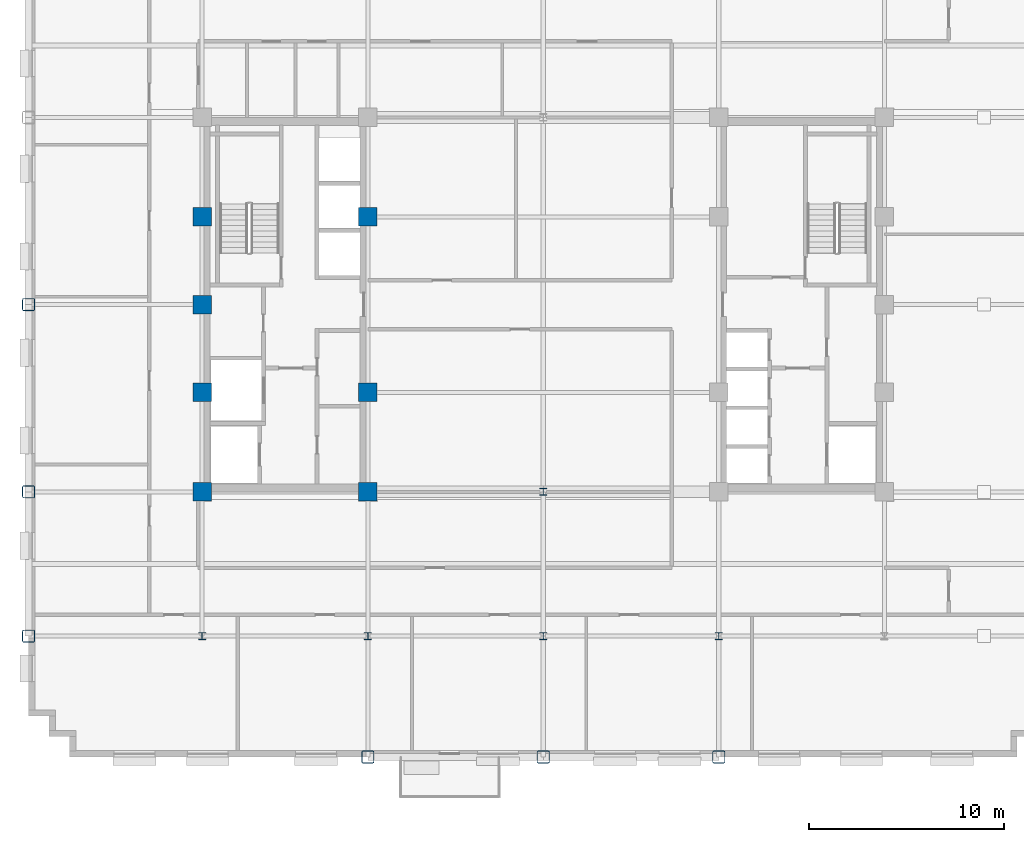
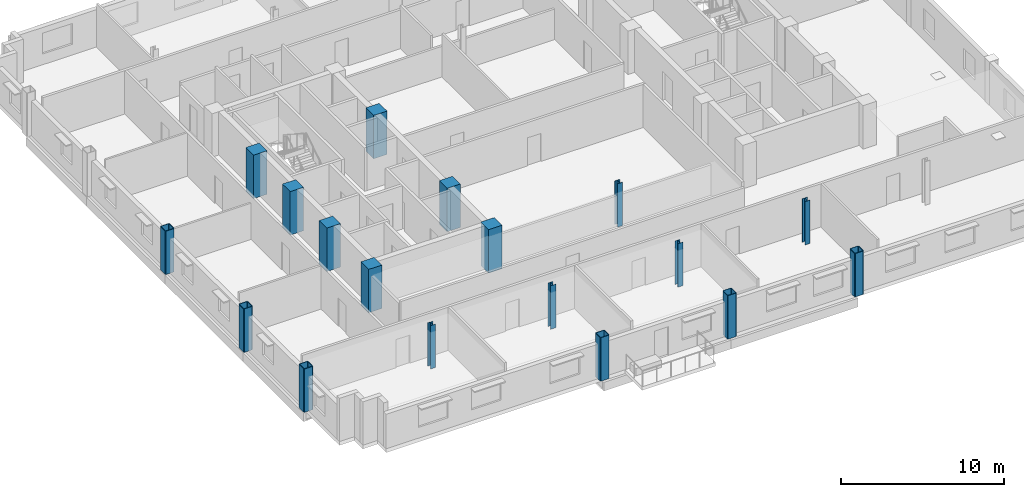
# One storey, part 1 of 14: 18 columns.
"""IFC4 building model written with IfcOpenShell, lengths in metres."""

from ifc_helpers import new_model, si_unit, direction, frame, origin, origin_2d, place, context, subcontext, project, spatial, rectangle, hollow_rectangle, i_section, extrude, material, material_profile, profile_set, type_object, element, save


model = new_model("IFC4")

# Units and contexts
model_context = context("Model", 3, precision=1e-05, world=origin(), true_north=direction((0.0, 1.0)))
body_context = subcontext(model_context, "Body", "Model", "MODEL_VIEW")
ifc_project = project(units=[si_unit("LENGTHUNIT", "METRE"), si_unit("AREAUNIT", "SQUARE_METRE"), si_unit("VOLUMEUNIT", "CUBIC_METRE"), si_unit("PLANEANGLEUNIT", "RADIAN"), si_unit("MASSUNIT", "GRAM", prefix="KILO")], contexts=[model_context])

# Site, building, storey
site_placement = place(None, origin())
site = spatial("IfcSite", under=ifc_project, at=site_placement, CompositionType="ELEMENT")
building_placement = place(site_placement, origin())
building = spatial("IfcBuilding", under=site, at=building_placement, Name="Nuvemarco Arch Tower", CompositionType="ELEMENT")
storey_placement = place(building_placement, frame((0.0, 0.0, 164.0)))
storey = spatial("IfcBuildingStorey", under=building, at=storey_placement, Name="L43", CompositionType="ELEMENT", Elevation=164.0)

# Columns
ifc_material_1 = material(Name="Concrete C50/60", Category="concrete")
ifc_material_profile_1 = material_profile(ifc_material_1, rectangle(XDim=0.949951171875, YDim=0.949951171875, at=origin_2d()), Name="RC-COL-950x950")
ifc_profile_set_1 = profile_set([ifc_material_profile_1], Name="Concrete C50/60")
column_type_1 = type_object("IfcColumnType", Name="COL-CORE-950", PredefinedType="COLUMN", material=ifc_profile_set_1)
for number, where, z_axis, x_axis, name in (
    (1, (-17.5, -9.60009765625, 0.0), (0.0, 0.0, 1.0), (1.0, 0.0, 0.0), "L43 column CC_-17.5_-9.6"),
    (2, (-17.5, -4.5, 0.0), (0.0, 0.0, 1.0), (1.0, 0.0, 0.0), "L43 column CC_-17.5_-4.5"),
    (3, (-17.5, 4.5, 0.0), (0.0, 0.0, 1.0), (1.0, 0.0, 0.0), "L43 column CC_-17.5_+4.5"),
    (4, (-9.0, -9.60009765625, 0.0), (0.0, 0.0, 1.0), (1.0, 0.0, 0.0), "L43 column CC_-9.0_-9.6"),
    (5, (-9.0, -4.5, 0.0), (0.0, 0.0, 1.0), (1.0, 0.0, 0.0), "L43 column CC_-9.0_-4.5"),
    (6, (-9.0, 4.5, 0.0), (0.0, 0.0, 1.0), (1.0, 0.0, 0.0), "L43 column CC_-9.0_+4.5"),
    (7, (-17.5, 0.0, 0.0), (0.0, 0.0, 1.0), (1.0, 0.0, 0.0), "L43 column CC_-17.5_+0.0"),
):
    element("IfcColumn", number, at=place(storey_placement, frame(where, z_axis=z_axis, x_axis=x_axis)), inside=storey, type_object=column_type_1, Name=name, PredefinedType="COLUMN", context=body_context, shape_type="SweptSolid", body=[
        extrude(rectangle(XDim=0.949951171875, YDim=0.949951171875, at=origin_2d()), origin(), (0.0, 0.0, 1.0), 3.25),
    ])
ifc_material_2 = material(Name="Steel S355", Category="steel")
ifc_material_profile_2 = material_profile(ifc_material_2, hollow_rectangle(XDim=0.64990234375, YDim=0.64990234375, WallThickness=0.0400390625, InnerFilletRadius=0.0400390625, OuterFilletRadius=0.080078125, at=origin_2d()), Name="SHS650x650x40")
ifc_profile_set_2 = profile_set([ifc_material_profile_2], Name="Steel S355")
column_type_2 = type_object("IfcColumnType", Name="COL-EXO-650", PredefinedType="COLUMN", material=ifc_profile_set_2)
for number, where, z_axis, x_axis, name in (
    (8, (-26.39990234375, -17.0, 0.0), (0.0, 0.0, 1.0), (1.0, 0.0, 0.0), "L43 column CX_-26.4_-17.0"),
    (9, (-26.39990234375, -9.60009765625, 0.0), (0.0, 0.0, 1.0), (1.0, 0.0, 0.0), "L43 column CX_-26.4_-9.6"),
    (10, (-26.39990234375, 0.0, 0.0), (0.0, 0.0, 1.0), (1.0, 0.0, 0.0), "L43 column CX_-26.4_+0.0"),
    (11, (-9.0, -23.199951171875, 0.0), (0.0, 0.0, 1.0), (1.0, 0.0, 0.0), "L43 column CY_-9.0_-23.2"),
    (12, (0.0, -23.199951171875, 0.0), (0.0, 0.0, 1.0), (1.0, 0.0, 0.0), "L43 column CY_+0.0_-23.2"),
    (13, (9.0, -23.199951171875, 0.0), (0.0, 0.0, 1.0), (1.0, 0.0, 0.0), "L43 column CY_+9.0_-23.2"),
):
    element("IfcColumn", number, at=place(storey_placement, frame(where, z_axis=z_axis, x_axis=x_axis)), inside=storey, type_object=column_type_2, Name=name, PredefinedType="COLUMN", context=body_context, shape_type="SweptSolid", body=[
        extrude(hollow_rectangle(XDim=0.64990234375, YDim=0.64990234375, WallThickness=0.0400390625, InnerFilletRadius=0.0400390625, OuterFilletRadius=0.080078125, at=origin_2d()), origin(), (0.0, 0.0, 1.0), 3.25),
    ])
ifc_material_profile_3 = material_profile(ifc_material_2, i_section(OverallWidth=0.360107421875, OverallDepth=0.360107421875, WebThickness=0.0205078125, FlangeThickness=0.0205078125, FilletRadius=0.01806640625, at=origin_2d()), Name="HP360x174")
ifc_profile_set_3 = profile_set([ifc_material_profile_3], Name="Steel S355")
column_type_3 = type_object("IfcColumnType", Name="COL-STL-HP360", PredefinedType="COLUMN", material=ifc_profile_set_3)
for number, where, z_axis, x_axis, name in (
    (14, (0.0, -17.0, 0.0), (0.0, 0.0, 1.0), (1.0, 0.0, 0.0), "L43 column CI_+0.0_-17.0"),
    (15, (0.0, -9.60009765625, 0.0), (0.0, 0.0, 1.0), (1.0, 0.0, 0.0), "L43 column CI_+0.0_-9.6"),
    (16, (-17.5, -17.0, 0.0), (0.0, 0.0, 1.0), (1.0, 0.0, 0.0), "L43 column CI_-17.5_-17.0"),
    (17, (-9.0, -17.0, 0.0), (0.0, 0.0, 1.0), (1.0, 0.0, 0.0), "L43 column CI_-9.0_-17.0"),
    (18, (9.0, -17.0, 0.0), (0.0, 0.0, 1.0), (1.0, 0.0, 0.0), "L43 column CI_+9.0_-17.0"),
):
    element("IfcColumn", number, at=place(storey_placement, frame(where, z_axis=z_axis, x_axis=x_axis)), inside=storey, type_object=column_type_3, Name=name, PredefinedType="COLUMN", context=body_context, shape_type="SweptSolid", body=[
        extrude(i_section(OverallWidth=0.360107421875, OverallDepth=0.360107421875, WebThickness=0.0205078125, FlangeThickness=0.0205078125, FilletRadius=0.01806640625, at=origin_2d()), origin(), (0.0, 0.0, 1.0), 3.25),
    ])

save(model, "model.ifc")
